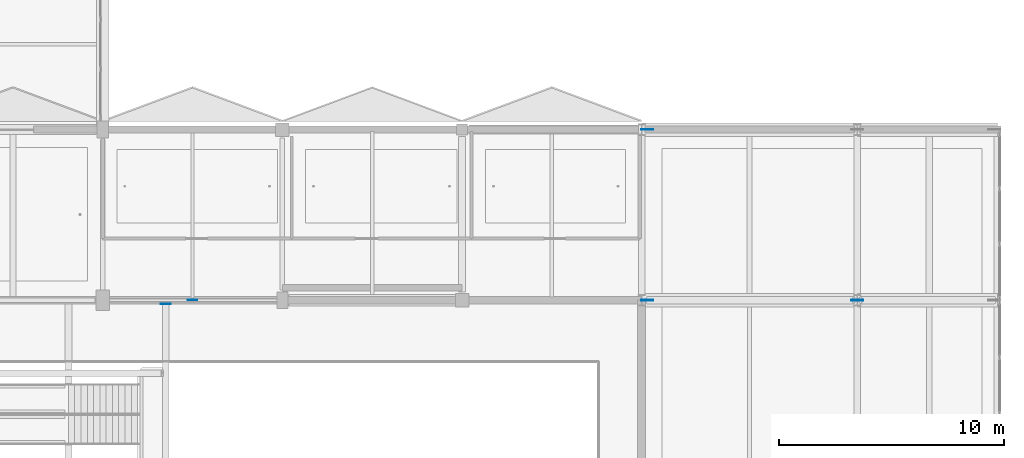
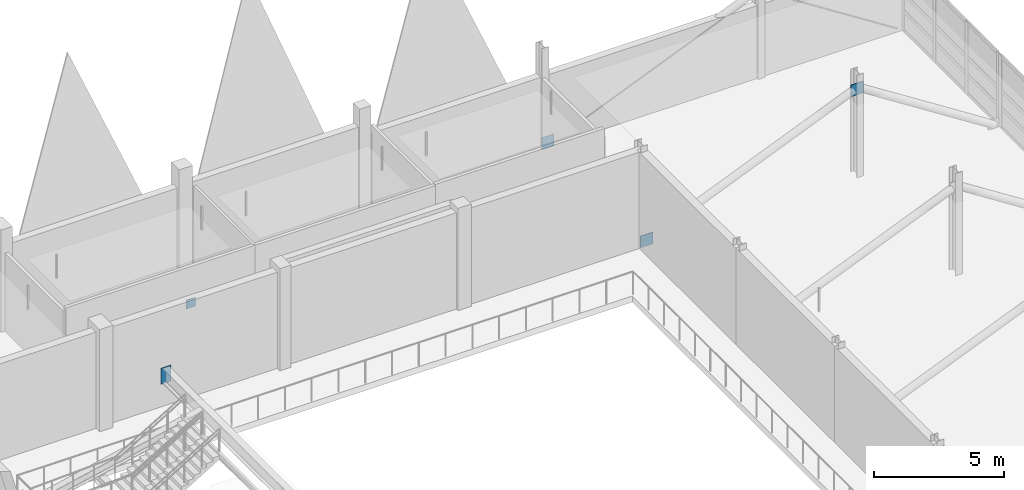
# One storey, part 85 of 141: 5 plates.
"""IFC4 building model written with IfcOpenShell, lengths in metres."""

from ifc_helpers import new_model, si_unit, direction, frame, origin, origin_2d, place, context, subcontext, project, spatial, rectangle, extrude, material, layer, layer_set, type_object, element, save


model = new_model("IFC4")

# Units and contexts
model_context = context("Model", 3, precision=1e-05, world=origin(), true_north=direction((0.0, 1.0)))
body_context = subcontext(model_context, "Body", "Model", "MODEL_VIEW")
ifc_project = project(units=[si_unit("LENGTHUNIT", "METRE"), si_unit("AREAUNIT", "SQUARE_METRE"), si_unit("VOLUMEUNIT", "CUBIC_METRE"), si_unit("PLANEANGLEUNIT", "RADIAN"), si_unit("MASSUNIT", "GRAM", prefix="KILO")], contexts=[model_context])

# Site, building, storey
site_placement = place(None, origin())
site = spatial("IfcSite", under=ifc_project, at=site_placement, CompositionType="ELEMENT")
building_placement = place(site_placement, origin())
building = spatial("IfcBuilding", under=site, at=building_placement, Name="Khelvaren Railside Concert Hall", CompositionType="ELEMENT")
storey_placement = place(building_placement, frame((0.0, 0.0, 10.199951171875)))
storey = spatial("IfcBuildingStorey", under=building, at=storey_placement, Name="L02", CompositionType="ELEMENT", Elevation=10.199951171875)

# Plates
ifc_material = material(Name="Steel S355", Category="steel")
ifc_layer_1 = layer(ifc_material, 0.028076171875)
ifc_layer_set_1 = layer_set([ifc_layer_1], Name="Steel S355")
plate_type_1 = type_object("IfcPlateType", Name="GP71", PredefinedType="USERDEFINED", material=ifc_layer_set_1)
for number, where, z_axis, x_axis, name in (
    (1, (49.60009765625, 38.0, 3.69482421875), (0.0, 0.0, 1.0), (1.0, 0.0, 0.0), "Cantilever Truss End Node Assembly L02-6-TOP"),
    (2, (40.25, 38.0, -0.125), (0.0, 0.0, 1.0), (1.0, 0.0, 0.0), "Cantilever Truss End Node Assembly L02-6-BS"),
    (3, (40.25, 45.60009765625, -0.125), (0.0, 0.0, 1.0), (1.0, 0.0, 0.0), "Cantilever Truss End Node Assembly L02-7-BS"),
):
    element("IfcPlate", number, at=place(storey_placement, frame(where, z_axis=z_axis, x_axis=x_axis)), inside=storey, type_object=plate_type_1, Name=name, ObjectType="GUSSET PLATE", PredefinedType="USERDEFINED", context=body_context, shape_type="SweptSolid", body=[
        extrude(rectangle(XDim=0.550048828125, YDim=0.028076171875, at=origin_2d()), origin(), (0.0, 0.0, 1.0), 0.550048828125),
    ])
plate_1_placement = place(storey_placement, frame((18.800048828125, 37.830078125, 1.06494140625), z_axis=(0.0, 0.0, 1.0), x_axis=(1.0, 0.0, 0.0)))
element("IfcPlate", 4, at=plate_1_placement, inside=storey, type_object=plate_type_1, Name="Cast-In Shear Wall Embedment Plate V1-L02-RKHDR-N", ObjectType="GUSSET PLATE", PredefinedType="USERDEFINED", context=body_context, shape_type="SweptSolid", body=[
    extrude(rectangle(XDim=0.449951171875, YDim=0.028076171875, at=origin_2d()), origin(), (0.0, 0.0, 1.0), 0.75),
])
ifc_layer_2 = layer(ifc_material, 0.02197265625)
ifc_layer_set_2 = layer_set([ifc_layer_2], Name="Steel S355")
plate_type_2 = type_object("IfcPlateType", Name="STP73", PredefinedType="USERDEFINED", material=ifc_layer_set_2)
plate_2_placement = place(storey_placement, frame((20.0, 38.0, 4.06005859375), z_axis=(0.0, 0.0, 1.0), x_axis=(1.0, 0.0, 0.0)))
element("IfcPlate", 5, at=plate_2_placement, inside=storey, type_object=plate_type_2, Name="V1 L02 Brace Apex Stiffener Plate 36", ObjectType="STIFFENER PLATE", PredefinedType="USERDEFINED", context=body_context, shape_type="SweptSolid", body=[
    extrude(rectangle(XDim=0.419921875, YDim=0.02197265625, at=origin_2d()), origin(), (0.0, 0.0, 1.0), 0.419921875),
])

save(model, "model.ifc")
